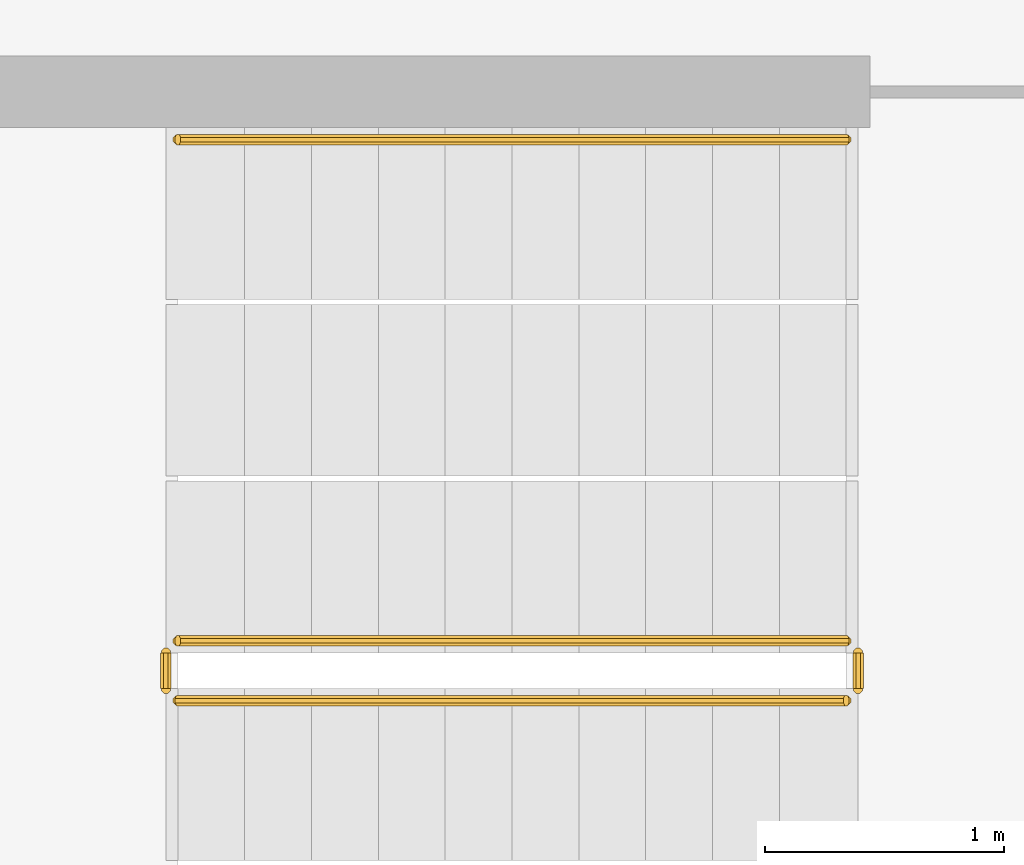
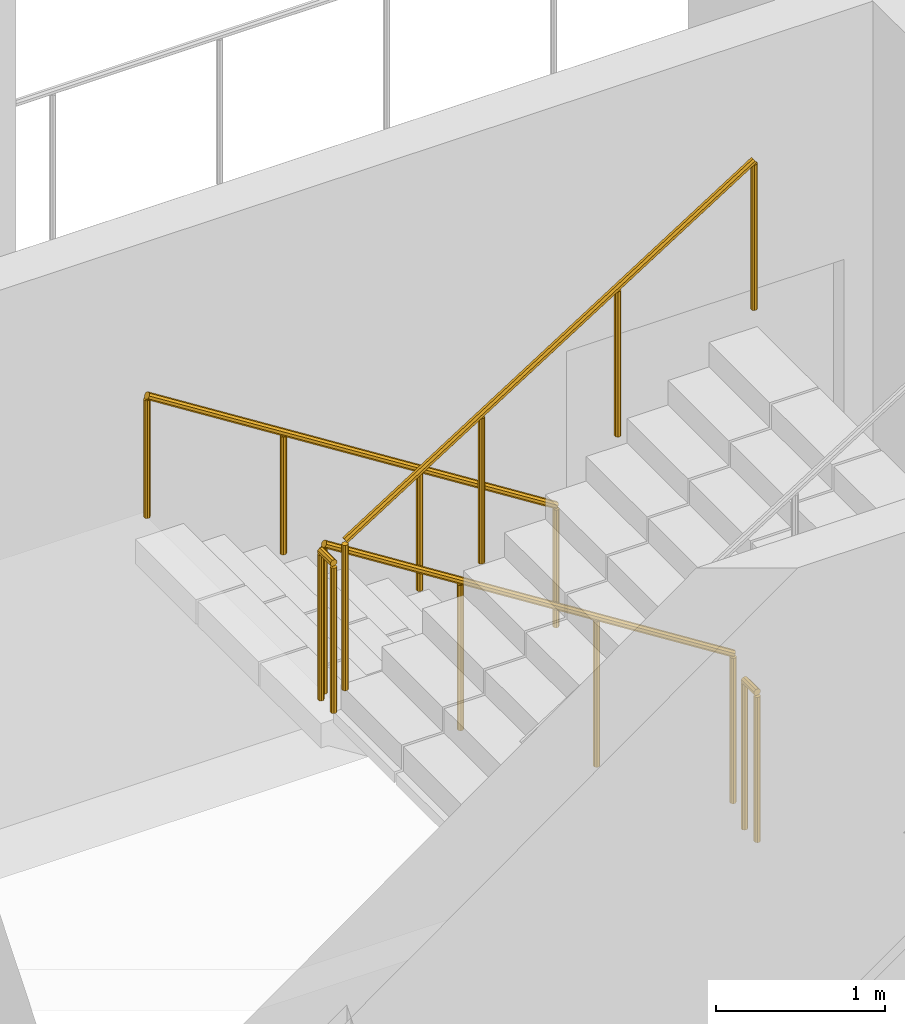
# One storey, part 20 of 26: 5 railings.
"""IFC4 building model written with IfcOpenShell, lengths in metres."""

from ifc_helpers import new_model, si_unit, direction, frame, origin, place, context, subcontext, project, spatial, polyline, outline, extrude, material, type_object, element, save


model = new_model("IFC4")

# Units and contexts
model_context = context("Model", 3, precision=1e-05, world=origin(), true_north=direction((0.0, 1.0)))
body_context = subcontext(model_context, "Body", "Model", "MODEL_VIEW")
ifc_project = project(units=[si_unit("LENGTHUNIT", "METRE"), si_unit("AREAUNIT", "SQUARE_METRE"), si_unit("VOLUMEUNIT", "CUBIC_METRE"), si_unit("PLANEANGLEUNIT", "RADIAN"), si_unit("MASSUNIT", "GRAM", prefix="KILO")], contexts=[model_context])

# Site, building, storey
site_placement = place(None, origin())
site = spatial("IfcSite", under=ifc_project, at=site_placement, CompositionType="ELEMENT")
building_placement = place(site_placement, origin())
building = spatial("IfcBuilding", under=site, at=building_placement, Name="Cormorant Relay Tower", CompositionType="ELEMENT")
storey_placement = place(building_placement, frame((0.0, 0.0, 300.89990234375)))
storey = spatial("IfcBuildingStorey", under=building, at=storey_placement, Name="L68", CompositionType="ELEMENT", Elevation=300.89990234375)

# Railings
ifc_material_1 = material(Name="Steel ASTM A572 Grade 50 (Fy 345 MPa)", Category="steel")
railing_type_1 = type_object("IfcRailingType", Name="Stair guard 1100", PredefinedType="GUARDRAIL", material=ifc_material_1)
railing_1_placement = place(storey_placement, frame((1.60009765625, -18.27490234375, 0.177490234375)))
element("IfcRailing", 1, at=railing_1_placement, inside=storey, type_object=railing_type_1, Name="L68 RK1 stair guard 1", PredefinedType="GUARDRAIL", context=body_context, shape_type="SweptSolid", body=[
    extrude(outline(polyline([(0.022216796875, 0.00927734375), (0.00927734375, 0.022216796875), (-0.00927734375, 0.022216796875), (-0.022216796875, 0.00927734375), (-0.022216796875, -0.00927734375), (-0.00927734375, -0.022216796875), (0.00927734375, -0.022216796875), (0.022216796875, -0.00927734375), (0.022216796875, 0.00927734375)])), frame((0.0, 0.0, 1.076171875), z_axis=(-0.844908973607, 0.0, 0.534910110503), x_axis=(0.0, -1.0, 0.0)), (0.0, 0.0, 1.0), 3.31396484375),
    extrude(outline(polyline([(0.019287109375, 0.008056640625), (0.008056640625, 0.019287109375), (-0.008056640625, 0.019287109375), (-0.019287109375, 0.008056640625), (-0.019287109375, -0.008056640625), (-0.008056640625, -0.019287109375), (0.008056640625, -0.019287109375), (0.019287109375, -0.008056640625), (0.019287109375, 0.008056640625)])), origin(), (0.0, 0.0, 1.0), 1.052001953125),
    extrude(outline(polyline([(0.019287109375, 0.008056640625), (0.008056640625, 0.019287109375), (-0.008056640625, 0.019287109375), (-0.019287109375, 0.008056640625), (-0.019287109375, -0.008056640625), (-0.008056640625, -0.019287109375), (0.008056640625, -0.019287109375), (0.019287109375, -0.008056640625), (0.019287109375, 0.008056640625)])), frame((-0.933349609375, 0.0, 0.5908203125)), (0.0, 0.0, 1.0), 1.052001953125),
    extrude(outline(polyline([(0.019287109375, 0.008056640625), (0.008056640625, 0.019287109375), (-0.008056640625, 0.019287109375), (-0.019287109375, 0.008056640625), (-0.019287109375, -0.008056640625), (-0.008056640625, -0.019287109375), (0.008056640625, -0.019287109375), (0.019287109375, -0.008056640625), (0.019287109375, 0.008056640625)])), frame((-1.86669921875, 0.0, 1.181884765625)), (0.0, 0.0, 1.0), 1.052001953125),
    extrude(outline(polyline([(0.019287109375, 0.008056640625), (0.008056640625, 0.019287109375), (-0.008056640625, 0.019287109375), (-0.019287109375, 0.008056640625), (-0.019287109375, -0.008056640625), (-0.008056640625, -0.019287109375), (0.008056640625, -0.019287109375), (0.019287109375, -0.008056640625), (0.019287109375, 0.008056640625)])), frame((-2.800048828125, 0.0, 1.772705078125)), (0.0, 0.0, 1.0), 1.052001953125),
])
railing_2_placement = place(storey_placement, frame((-1.25, -18.324951171875, 1.9501953125)))
element("IfcRailing", 2, at=railing_2_placement, inside=storey, type_object=railing_type_1, Name="L68 RK1 stair guard 2", PredefinedType="GUARDRAIL", context=body_context, shape_type="SweptSolid", body=[
    extrude(outline(polyline([(0.022216796875, 0.00927734375), (0.00927734375, 0.022216796875), (-0.00927734375, 0.022216796875), (-0.022216796875, 0.00927734375), (-0.022216796875, -0.00927734375), (-0.00927734375, -0.022216796875), (0.00927734375, -0.022216796875), (0.022216796875, -0.00927734375), (0.022216796875, 0.00927734375)])), frame((0.0, 0.0, 1.076171875), z_axis=(0.0, -1.0, 0.0), x_axis=(1.0, 0.0, 0.0)), (0.0, 0.0, 1.0), 0.150146484375),
    extrude(outline(polyline([(0.019287109375, 0.008056640625), (0.008056640625, 0.019287109375), (-0.008056640625, 0.019287109375), (-0.019287109375, 0.008056640625), (-0.019287109375, -0.008056640625), (-0.008056640625, -0.019287109375), (0.008056640625, -0.019287109375), (0.019287109375, -0.008056640625), (0.019287109375, 0.008056640625)])), origin(), (0.0, 0.0, 1.0), 1.052001953125),
    extrude(outline(polyline([(0.019287109375, 0.008056640625), (0.008056640625, 0.019287109375), (-0.008056640625, 0.019287109375), (-0.019287109375, 0.008056640625), (-0.019287109375, -0.008056640625), (-0.008056640625, -0.019287109375), (0.008056640625, -0.019287109375), (0.019287109375, -0.008056640625), (0.019287109375, 0.008056640625)])), frame((0.0, -0.150146484375, 0.0)), (0.0, 0.0, 1.0), 1.052001953125),
])
railing_3_placement = place(storey_placement, frame((-1.199951171875, -18.52490234375, 2.12744140625)))
element("IfcRailing", 3, at=railing_3_placement, inside=storey, type_object=railing_type_1, Name="L68 RK1 stair guard 3", PredefinedType="GUARDRAIL", context=body_context, shape_type="SweptSolid", body=[
    extrude(outline(polyline([(0.022216796875, 0.00927734375), (0.00927734375, 0.022216796875), (-0.00927734375, 0.022216796875), (-0.022216796875, 0.00927734375), (-0.022216796875, -0.00927734375), (-0.00927734375, -0.022216796875), (0.00927734375, -0.022216796875), (0.022216796875, -0.00927734375), (0.022216796875, 0.00927734375)])), frame((0.0, 0.0, 1.076171875), z_axis=(0.844908973607, 0.0, 0.534910110503), x_axis=(0.0, 1.0, 0.0)), (0.0, 0.0, 1.0), 3.31396484375),
    extrude(outline(polyline([(0.019287109375, 0.008056640625), (0.008056640625, 0.019287109375), (-0.008056640625, 0.019287109375), (-0.019287109375, 0.008056640625), (-0.019287109375, -0.008056640625), (-0.008056640625, -0.019287109375), (0.008056640625, -0.019287109375), (0.019287109375, -0.008056640625), (0.019287109375, 0.008056640625)])), origin(), (0.0, 0.0, 1.0), 1.052001953125),
    extrude(outline(polyline([(0.019287109375, 0.008056640625), (0.008056640625, 0.019287109375), (-0.008056640625, 0.019287109375), (-0.019287109375, 0.008056640625), (-0.019287109375, -0.008056640625), (-0.008056640625, -0.019287109375), (0.008056640625, -0.019287109375), (0.019287109375, -0.008056640625), (0.019287109375, 0.008056640625)])), frame((0.933349609375, 0.0, 0.5908203125)), (0.0, 0.0, 1.0), 1.052001953125),
    extrude(outline(polyline([(0.019287109375, 0.008056640625), (0.008056640625, 0.019287109375), (-0.008056640625, 0.019287109375), (-0.019287109375, 0.008056640625), (-0.019287109375, -0.008056640625), (-0.008056640625, -0.019287109375), (0.008056640625, -0.019287109375), (0.019287109375, -0.008056640625), (0.019287109375, 0.008056640625)])), frame((1.86669921875, 0.0, 1.181884765625)), (0.0, 0.0, 1.0), 1.052001953125),
    extrude(outline(polyline([(0.019287109375, 0.008056640625), (0.008056640625, 0.019287109375), (-0.008056640625, 0.019287109375), (-0.019287109375, 0.008056640625), (-0.019287109375, -0.008056640625), (-0.008056640625, -0.019287109375), (0.008056640625, -0.019287109375), (0.019287109375, -0.008056640625), (0.019287109375, 0.008056640625)])), frame((2.800048828125, 0.0, 1.772705078125)), (0.0, 0.0, 1.0), 1.052001953125),
])
railing_4_placement = place(storey_placement, frame((1.64990234375, -18.324951171875, 0.0)))
element("IfcRailing", 4, at=railing_4_placement, inside=storey, type_object=railing_type_1, Name="L68 RK1 stair guard 4", PredefinedType="GUARDRAIL", context=body_context, shape_type="SweptSolid", body=[
    extrude(outline(polyline([(0.022216796875, 0.00927734375), (0.00927734375, 0.022216796875), (-0.00927734375, 0.022216796875), (-0.022216796875, 0.00927734375), (-0.022216796875, -0.00927734375), (-0.00927734375, -0.022216796875), (0.00927734375, -0.022216796875), (0.022216796875, -0.00927734375), (0.022216796875, 0.00927734375)])), frame((0.0, 0.0, 1.076171875), z_axis=(0.0, -1.0, 0.0), x_axis=(1.0, 0.0, 0.0)), (0.0, 0.0, 1.0), 0.150146484375),
    extrude(outline(polyline([(0.019287109375, 0.008056640625), (0.008056640625, 0.019287109375), (-0.008056640625, 0.019287109375), (-0.019287109375, 0.008056640625), (-0.019287109375, -0.008056640625), (-0.008056640625, -0.019287109375), (0.008056640625, -0.019287109375), (0.019287109375, -0.008056640625), (0.019287109375, 0.008056640625)])), origin(), (0.0, 0.0, 1.0), 1.052001953125),
    extrude(outline(polyline([(0.019287109375, 0.008056640625), (0.008056640625, 0.019287109375), (-0.008056640625, 0.019287109375), (-0.019287109375, 0.008056640625), (-0.019287109375, -0.008056640625), (-0.008056640625, -0.019287109375), (0.008056640625, -0.019287109375), (0.019287109375, -0.008056640625), (0.019287109375, 0.008056640625)])), frame((0.0, -0.150146484375, 0.0)), (0.0, 0.0, 1.0), 1.052001953125),
])
ifc_material_2 = material(Name="Steel ASTM A572 Grade 50 (Fy 345 MPa)", Category="steel")
railing_type_2 = type_object("IfcRailingType", Name="Stair handrail 900", PredefinedType="HANDRAIL", material=ifc_material_2)
railing_5_placement = place(storey_placement, frame((1.60009765625, -16.175048828125, 0.177490234375)))
element("IfcRailing", 5, at=railing_5_placement, inside=storey, type_object=railing_type_2, Name="L68 RK1 stair handrail 1", PredefinedType="HANDRAIL", context=body_context, shape_type="SweptSolid", body=[
    extrude(outline(polyline([(0.022216796875, 0.00927734375), (0.00927734375, 0.022216796875), (-0.00927734375, 0.022216796875), (-0.022216796875, 0.00927734375), (-0.022216796875, -0.00927734375), (-0.00927734375, -0.022216796875), (0.00927734375, -0.022216796875), (0.022216796875, -0.00927734375), (0.022216796875, 0.00927734375)])), frame((0.0, 0.0, 0.8759765625), z_axis=(-0.844908973607, 0.0, 0.534910110503), x_axis=(0.0, -1.0, 0.0)), (0.0, 0.0, 1.0), 3.31396484375),
    extrude(outline(polyline([(0.019287109375, 0.008056640625), (0.008056640625, 0.019287109375), (-0.008056640625, 0.019287109375), (-0.019287109375, 0.008056640625), (-0.019287109375, -0.008056640625), (-0.008056640625, -0.019287109375), (0.008056640625, -0.019287109375), (0.019287109375, -0.008056640625), (0.019287109375, 0.008056640625)])), origin(), (0.0, 0.0, 1.0), 0.851806640625),
    extrude(outline(polyline([(0.019287109375, 0.008056640625), (0.008056640625, 0.019287109375), (-0.008056640625, 0.019287109375), (-0.019287109375, 0.008056640625), (-0.019287109375, -0.008056640625), (-0.008056640625, -0.019287109375), (0.008056640625, -0.019287109375), (0.019287109375, -0.008056640625), (0.019287109375, 0.008056640625)])), frame((-0.933349609375, 0.0, 0.5908203125)), (0.0, 0.0, 1.0), 0.851806640625),
    extrude(outline(polyline([(0.019287109375, 0.008056640625), (0.008056640625, 0.019287109375), (-0.008056640625, 0.019287109375), (-0.019287109375, 0.008056640625), (-0.019287109375, -0.008056640625), (-0.008056640625, -0.019287109375), (0.008056640625, -0.019287109375), (0.019287109375, -0.008056640625), (0.019287109375, 0.008056640625)])), frame((-1.86669921875, 0.0, 1.181884765625)), (0.0, 0.0, 1.0), 0.851806640625),
    extrude(outline(polyline([(0.019287109375, 0.008056640625), (0.008056640625, 0.019287109375), (-0.008056640625, 0.019287109375), (-0.019287109375, 0.008056640625), (-0.019287109375, -0.008056640625), (-0.008056640625, -0.019287109375), (0.008056640625, -0.019287109375), (0.019287109375, -0.008056640625), (0.019287109375, 0.008056640625)])), frame((-2.800048828125, 0.0, 1.772705078125)), (0.0, 0.0, 1.0), 0.851806640625),
])

save(model, "model.ifc")
